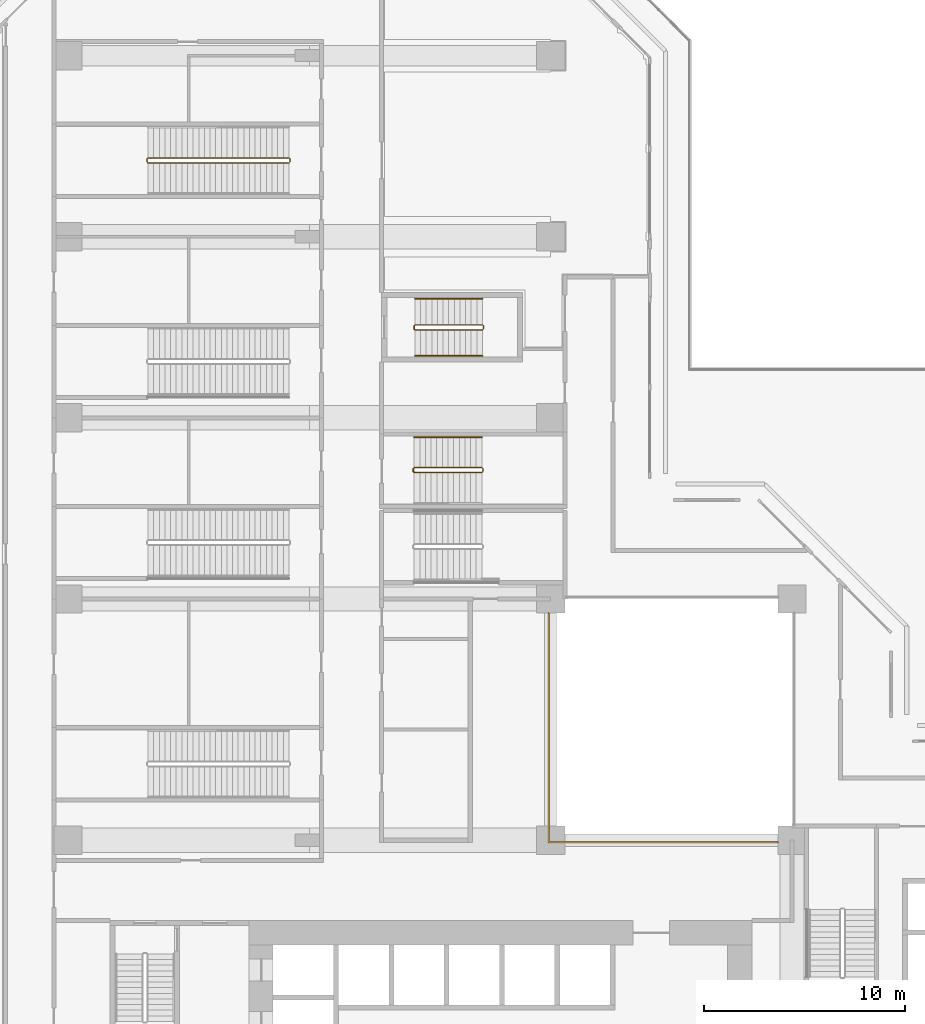
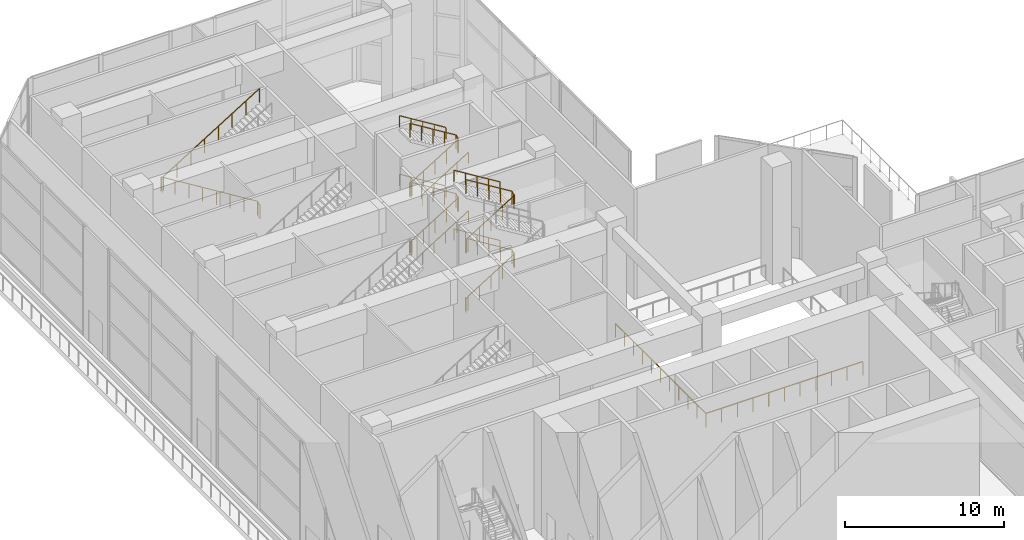
# One storey, part 27 of 28: 10 railings.
"""IFC4 building model written with IfcOpenShell, lengths in metres."""

from ifc_helpers import new_model, si_unit, direction, frame, origin, origin_2d, place, context, subcontext, project, spatial, rectangle, extrude, material, type_object, element, save


model = new_model("IFC4")

# Units and contexts
model_context = context("Model", 3, precision=1e-05, world=origin(), true_north=direction((0.0, 1.0)))
body_context = subcontext(model_context, "Body", "Model", "MODEL_VIEW")
ifc_project = project(units=[si_unit("LENGTHUNIT", "METRE"), si_unit("AREAUNIT", "SQUARE_METRE"), si_unit("VOLUMEUNIT", "CUBIC_METRE"), si_unit("PLANEANGLEUNIT", "RADIAN"), si_unit("MASSUNIT", "GRAM", prefix="KILO")], contexts=[model_context])

# Site, building, storey
site_placement = place(None, origin())
site = spatial("IfcSite", under=ifc_project, at=site_placement, CompositionType="ELEMENT")
building_placement = place(site_placement, origin())
building = spatial("IfcBuilding", under=site, at=building_placement, Name="Chenar Terraces", CompositionType="ELEMENT")
storey_placement = place(building_placement, frame((0.0, 0.0, 26.39990234375)))
storey = spatial("IfcBuildingStorey", under=building, at=storey_placement, Name="L05", CompositionType="ELEMENT", Elevation=26.39990234375)

# Railings
ifc_material_1 = material(Name="Powder-coated steel", Category="steel")
railing_type_1 = type_object("IfcRailingType", Name="Guard 1100 steel rail with glass infill", PredefinedType="GUARDRAIL", material=ifc_material_1)
railing_1_placement = place(storey_placement, frame((23.89990234375, 35.300048828125, 0.0)))
element("IfcRailing", 1, at=railing_1_placement, inside=storey, type_object=railing_type_1, Name="Guard L05-1", PredefinedType="GUARDRAIL", context=body_context, shape_type="SweptSolid", body=[
    extrude(rectangle(XDim=0.06005859375, YDim=0.06005859375, at=origin_2d()), frame((0.0, 0.0, 1.070068359375), z_axis=(0.0, -1.0, 0.0), x_axis=(1.0, 0.0, 0.0)), (0.0, 0.0, 1.0), 11.400146484375),
    extrude(rectangle(XDim=0.06005859375, YDim=0.06005859375, at=origin_2d()), frame((0.0, -11.400146484375, 1.070068359375), z_axis=(1.0, 0.0, 0.0), x_axis=(0.0, 1.0, 0.0)), (0.0, 0.0, 1.0), 11.400146484375),
    extrude(rectangle(XDim=0.050048828125, YDim=0.050048828125, at=origin_2d()), origin(), (0.0, 0.0, 1.0), 1.0400390625),
    extrude(rectangle(XDim=0.050048828125, YDim=0.050048828125, at=origin_2d()), frame((0.0, -1.14013671875, 0.0)), (0.0, 0.0, 1.0), 1.0400390625),
    extrude(rectangle(XDim=0.050048828125, YDim=0.050048828125, at=origin_2d()), frame((0.0, -2.280029296875, 0.0)), (0.0, 0.0, 1.0), 1.0400390625),
    extrude(rectangle(XDim=0.050048828125, YDim=0.050048828125, at=origin_2d()), frame((0.0, -3.419921875, 0.0)), (0.0, 0.0, 1.0), 1.0400390625),
    extrude(rectangle(XDim=0.050048828125, YDim=0.050048828125, at=origin_2d()), frame((0.0, -4.56005859375, 0.0)), (0.0, 0.0, 1.0), 1.0400390625),
    extrude(rectangle(XDim=0.050048828125, YDim=0.050048828125, at=origin_2d()), frame((0.0, -5.7001953125, 0.0)), (0.0, 0.0, 1.0), 1.0400390625),
    extrude(rectangle(XDim=0.050048828125, YDim=0.050048828125, at=origin_2d()), frame((0.0, -6.840087890625, 0.0)), (0.0, 0.0, 1.0), 1.0400390625),
    extrude(rectangle(XDim=0.050048828125, YDim=0.050048828125, at=origin_2d()), frame((0.0, -7.97998046875, 0.0)), (0.0, 0.0, 1.0), 1.0400390625),
    extrude(rectangle(XDim=0.050048828125, YDim=0.050048828125, at=origin_2d()), frame((0.0, -9.1201171875, 0.0)), (0.0, 0.0, 1.0), 1.0400390625),
    extrude(rectangle(XDim=0.050048828125, YDim=0.050048828125, at=origin_2d()), frame((0.0, -10.26025390625, 0.0)), (0.0, 0.0, 1.0), 1.0400390625),
    extrude(rectangle(XDim=0.050048828125, YDim=0.050048828125, at=origin_2d()), frame((0.0, -11.400146484375, 0.0)), (0.0, 0.0, 1.0), 1.0400390625),
    extrude(rectangle(XDim=0.050048828125, YDim=0.050048828125, at=origin_2d()), frame((1.14013671875, -11.400146484375, 0.0)), (0.0, 0.0, 1.0), 1.0400390625),
    extrude(rectangle(XDim=0.050048828125, YDim=0.050048828125, at=origin_2d()), frame((2.280029296875, -11.400146484375, 0.0)), (0.0, 0.0, 1.0), 1.0400390625),
    extrude(rectangle(XDim=0.050048828125, YDim=0.050048828125, at=origin_2d()), frame((3.419921875, -11.400146484375, 0.0)), (0.0, 0.0, 1.0), 1.0400390625),
    extrude(rectangle(XDim=0.050048828125, YDim=0.050048828125, at=origin_2d()), frame((4.56005859375, -11.400146484375, 0.0)), (0.0, 0.0, 1.0), 1.0400390625),
    extrude(rectangle(XDim=0.050048828125, YDim=0.050048828125, at=origin_2d()), frame((5.7001953125, -11.400146484375, 0.0)), (0.0, 0.0, 1.0), 1.0400390625),
    extrude(rectangle(XDim=0.050048828125, YDim=0.050048828125, at=origin_2d()), frame((6.840087890625, -11.400146484375, 0.0)), (0.0, 0.0, 1.0), 1.0400390625),
    extrude(rectangle(XDim=0.050048828125, YDim=0.050048828125, at=origin_2d()), frame((7.97998046875, -11.400146484375, 0.0)), (0.0, 0.0, 1.0), 1.0400390625),
    extrude(rectangle(XDim=0.050048828125, YDim=0.050048828125, at=origin_2d()), frame((9.1201171875, -11.400146484375, 0.0)), (0.0, 0.0, 1.0), 1.0400390625),
    extrude(rectangle(XDim=0.050048828125, YDim=0.050048828125, at=origin_2d()), frame((10.26025390625, -11.400146484375, 0.0)), (0.0, 0.0, 1.0), 1.0400390625),
    extrude(rectangle(XDim=0.050048828125, YDim=0.050048828125, at=origin_2d()), frame((11.400146484375, -11.400146484375, 0.0)), (0.0, 0.0, 1.0), 1.0400390625),
])
ifc_material_2 = material(Name="Powder-coated steel", Category="steel")
railing_type_2 = type_object("IfcRailingType", Name="Stair guard 1100", PredefinedType="GUARDRAIL", material=ifc_material_2)
railing_2_placement = place(storey_placement, frame((17.25, 49.625, 9.0)))
element("IfcRailing", 2, at=railing_2_placement, inside=storey, type_object=railing_type_2, Name="L05 ST4 stair guard 1", PredefinedType="GUARDRAIL", context=body_context, shape_type="SweptSolid", body=[
    extrude(rectangle(XDim=0.048095703125, YDim=0.048095703125, at=origin_2d()), frame((0.0, 0.0, 1.076171875), z_axis=(0.850623216509, 0.0, -0.525775754039), x_axis=(0.0, 1.0, 0.0)), (0.0, 0.0, 1.0), 3.9501953125),
    extrude(rectangle(XDim=0.048095703125, YDim=0.048095703125, at=origin_2d()), frame((3.360107421875, 0.0, -1.0009765625), z_axis=(0.266417085129, -0.267723051232, -0.925929967433), x_axis=(0.708833529934, 0.705375805398, 0.0)), (0.0, 0.0, 1.0), 0.18701171875),
    extrude(rectangle(XDim=0.048095703125, YDim=0.048095703125, at=origin_2d()), frame((3.409912109375, -0.050048828125, -1.173828125), z_axis=(0.0, -1.0, 0.0), x_axis=(1.0, 0.0, 0.0)), (0.0, 0.0, 1.0), 0.14990234375),
    extrude(rectangle(XDim=0.048095703125, YDim=0.048095703125, at=origin_2d()), frame((3.409912109375, -0.199951171875, -1.173828125), z_axis=(-0.705375805398, -0.708833529934, 0.0), x_axis=(0.708833529934, -0.705375805398, 0.0)), (0.0, 0.0, 1.0), 0.070556640625),
    extrude(rectangle(XDim=0.048095703125, YDim=0.048095703125, at=origin_2d()), frame((3.360107421875, -0.25, -1.173828125), z_axis=(-0.850623216509, 0.0, -0.525775754039), x_axis=(0.0, -1.0, 0.0)), (0.0, 0.0, 1.0), 3.9501953125),
    extrude(rectangle(XDim=0.048095703125, YDim=0.048095703125, at=origin_2d()), frame((0.0, -0.25, -3.2509765625), z_axis=(-0.185944045274, 0.742869136974, -0.643094283413), x_axis=(-0.970072785993, -0.242814311512, 0.0)), (0.0, 0.0, 1.0), 0.26904296875),
    extrude(rectangle(XDim=0.048095703125, YDim=0.048095703125, at=origin_2d()), frame((-0.050048828125, -0.050048828125, -3.423828125), z_axis=(0.0, -1.0, 0.0), x_axis=(1.0, 0.0, 0.0)), (0.0, 0.0, 1.0), 0.14990234375),
    extrude(rectangle(XDim=0.048095703125, YDim=0.048095703125, at=origin_2d()), frame((-0.050048828125, -0.199951171875, -3.423828125), z_axis=(0.242814311512, 0.970072785993, 0.0), x_axis=(-0.970072785993, 0.242814311512, 0.0)), (0.0, 0.0, 1.0), 0.2060546875),
    extrude(rectangle(XDim=0.048095703125, YDim=0.048095703125, at=origin_2d()), frame((0.0, 0.0, -3.423828125), z_axis=(0.850623216509, 0.0, -0.525775754039), x_axis=(0.0, 1.0, 0.0)), (0.0, 0.0, 1.0), 3.9501953125),
    extrude(rectangle(XDim=0.048095703125, YDim=0.048095703125, at=origin_2d()), frame((3.360107421875, 0.0, -5.5009765625), z_axis=(0.266417085129, -0.267723051232, -0.925929967433), x_axis=(0.708833529934, 0.705375805398, 0.0)), (0.0, 0.0, 1.0), 0.18701171875),
    extrude(rectangle(XDim=0.048095703125, YDim=0.048095703125, at=origin_2d()), frame((3.409912109375, -0.050048828125, -5.673828125), z_axis=(0.0, -1.0, 0.0), x_axis=(1.0, 0.0, 0.0)), (0.0, 0.0, 1.0), 0.14990234375),
    extrude(rectangle(XDim=0.048095703125, YDim=0.048095703125, at=origin_2d()), frame((3.409912109375, -0.199951171875, -5.673828125), z_axis=(-0.705375805398, -0.708833529934, 0.0), x_axis=(0.708833529934, -0.705375805398, 0.0)), (0.0, 0.0, 1.0), 0.070556640625),
    extrude(rectangle(XDim=0.048095703125, YDim=0.048095703125, at=origin_2d()), frame((3.360107421875, -0.25, -5.673828125), z_axis=(-0.850623216509, 0.0, -0.525775754039), x_axis=(0.0, -1.0, 0.0)), (0.0, 0.0, 1.0), 3.9501953125),
    extrude(rectangle(XDim=0.048095703125, YDim=0.048095703125, at=origin_2d()), frame((0.0, -0.25, -7.7509765625), z_axis=(-0.267629722418, 0.267629722418, -0.925607186314), x_axis=(-0.707106781187, -0.707106781187, 0.0)), (0.0, 0.0, 1.0), 0.18701171875),
    extrude(rectangle(XDim=0.048095703125, YDim=0.048095703125, at=origin_2d()), frame((-0.050048828125, -0.199951171875, -7.923828125), z_axis=(0.0, 1.0, 0.0), x_axis=(-1.0, 0.0, 0.0)), (0.0, 0.0, 1.0), 0.14990234375),
    extrude(rectangle(XDim=0.0419921875, YDim=0.0419921875, at=origin_2d()), origin(), (0.0, 0.0, 1.0), 1.052001953125),
    extrude(rectangle(XDim=0.0419921875, YDim=0.0419921875, at=origin_2d()), frame((0.840087890625, 0.0, -0.519287109375)), (0.0, 0.0, 1.0), 1.052001953125),
    extrude(rectangle(XDim=0.0419921875, YDim=0.0419921875, at=origin_2d()), frame((1.68017578125, 0.0, -1.03857421875)), (0.0, 0.0, 1.0), 1.052001953125),
    extrude(rectangle(XDim=0.0419921875, YDim=0.0419921875, at=origin_2d()), frame((2.52001953125, 0.0, -1.5576171875)), (0.0, 0.0, 1.0), 1.052001953125),
    extrude(rectangle(XDim=0.0419921875, YDim=0.0419921875, at=origin_2d()), frame((3.360107421875, 0.0, -2.076904296875)), (0.0, 0.0, 1.0), 1.052001953125),
    extrude(rectangle(XDim=0.0419921875, YDim=0.0419921875, at=origin_2d()), frame((3.409912109375, -0.050048828125, -2.25)), (0.0, 0.0, 1.0), 1.052001953125),
    extrude(rectangle(XDim=0.0419921875, YDim=0.0419921875, at=origin_2d()), frame((3.409912109375, -0.199951171875, -2.25)), (0.0, 0.0, 1.0), 1.052001953125),
    extrude(rectangle(XDim=0.0419921875, YDim=0.0419921875, at=origin_2d()), frame((3.360107421875, -0.25, -2.25)), (0.0, 0.0, 1.0), 1.052001953125),
    extrude(rectangle(XDim=0.0419921875, YDim=0.0419921875, at=origin_2d()), frame((2.52001953125, -0.25, -2.769287109375)), (0.0, 0.0, 1.0), 1.052001953125),
    extrude(rectangle(XDim=0.0419921875, YDim=0.0419921875, at=origin_2d()), frame((1.68017578125, -0.25, -3.28857421875)), (0.0, 0.0, 1.0), 1.052001953125),
    extrude(rectangle(XDim=0.0419921875, YDim=0.0419921875, at=origin_2d()), frame((0.840087890625, -0.25, -3.8076171875)), (0.0, 0.0, 1.0), 1.052001953125),
    extrude(rectangle(XDim=0.0419921875, YDim=0.0419921875, at=origin_2d()), frame((0.0, -0.25, -4.326904296875)), (0.0, 0.0, 1.0), 1.052001953125),
    extrude(rectangle(XDim=0.0419921875, YDim=0.0419921875, at=origin_2d()), frame((-0.050048828125, -0.050048828125, -4.5)), (0.0, 0.0, 1.0), 1.052001953125),
    extrude(rectangle(XDim=0.0419921875, YDim=0.0419921875, at=origin_2d()), frame((-0.050048828125, -0.199951171875, -4.5)), (0.0, 0.0, 1.0), 1.052001953125),
    extrude(rectangle(XDim=0.0419921875, YDim=0.0419921875, at=origin_2d()), frame((0.0, 0.0, -4.5)), (0.0, 0.0, 1.0), 1.052001953125),
    extrude(rectangle(XDim=0.0419921875, YDim=0.0419921875, at=origin_2d()), frame((0.840087890625, 0.0, -5.019287109375)), (0.0, 0.0, 1.0), 1.052001953125),
    extrude(rectangle(XDim=0.0419921875, YDim=0.0419921875, at=origin_2d()), frame((1.68017578125, 0.0, -5.53857421875)), (0.0, 0.0, 1.0), 1.052001953125),
    extrude(rectangle(XDim=0.0419921875, YDim=0.0419921875, at=origin_2d()), frame((2.52001953125, 0.0, -6.0576171875)), (0.0, 0.0, 1.0), 1.052001953125),
    extrude(rectangle(XDim=0.0419921875, YDim=0.0419921875, at=origin_2d()), frame((3.360107421875, 0.0, -6.576904296875)), (0.0, 0.0, 1.0), 1.052001953125),
    extrude(rectangle(XDim=0.0419921875, YDim=0.0419921875, at=origin_2d()), frame((3.409912109375, -0.050048828125, -6.75)), (0.0, 0.0, 1.0), 1.052001953125),
    extrude(rectangle(XDim=0.0419921875, YDim=0.0419921875, at=origin_2d()), frame((3.409912109375, -0.199951171875, -6.75)), (0.0, 0.0, 1.0), 1.052001953125),
    extrude(rectangle(XDim=0.0419921875, YDim=0.0419921875, at=origin_2d()), frame((3.360107421875, -0.25, -6.75)), (0.0, 0.0, 1.0), 1.052001953125),
    extrude(rectangle(XDim=0.0419921875, YDim=0.0419921875, at=origin_2d()), frame((2.52001953125, -0.25, -7.269287109375)), (0.0, 0.0, 1.0), 1.052001953125),
    extrude(rectangle(XDim=0.0419921875, YDim=0.0419921875, at=origin_2d()), frame((1.68017578125, -0.25, -7.78857421875)), (0.0, 0.0, 1.0), 1.052001953125),
    extrude(rectangle(XDim=0.0419921875, YDim=0.0419921875, at=origin_2d()), frame((0.840087890625, -0.25, -8.3076171875)), (0.0, 0.0, 1.0), 1.052001953125),
    extrude(rectangle(XDim=0.0419921875, YDim=0.0419921875, at=origin_2d()), frame((0.0, -0.25, -8.826904296875)), (0.0, 0.0, 1.0), 1.052001953125),
    extrude(rectangle(XDim=0.0419921875, YDim=0.0419921875, at=origin_2d()), frame((-0.050048828125, -0.199951171875, -9.0)), (0.0, 0.0, 1.0), 1.052001953125),
    extrude(rectangle(XDim=0.0419921875, YDim=0.0419921875, at=origin_2d()), frame((-0.050048828125, -0.050048828125, -9.0)), (0.0, 0.0, 1.0), 1.052001953125),
])
railing_3_placement = place(storey_placement, frame((10.985107421875, 57.675048828125, 9.0)))
element("IfcRailing", 3, at=railing_3_placement, inside=storey, type_object=railing_type_2, Name="L05 PS3 stair guard 1", PredefinedType="GUARDRAIL", context=body_context, shape_type="SweptSolid", body=[
    extrude(rectangle(XDim=0.048095703125, YDim=0.048095703125, at=origin_2d()), frame((0.0, 0.0, 1.076171875), z_axis=(-0.850614592968, 0.0, -0.525789705328), x_axis=(0.0, -1.0, 0.0)), (0.0, 0.0, 1.0), 8.229248046875),
    extrude(rectangle(XDim=0.048095703125, YDim=0.048095703125, at=origin_2d()), frame((-7.0, 0.0, -3.2509765625), z_axis=(-0.267629722418, 0.267629722418, -0.925607186314), x_axis=(-0.707106781187, -0.707106781187, 0.0)), (0.0, 0.0, 1.0), 0.18701171875),
    extrude(rectangle(XDim=0.048095703125, YDim=0.048095703125, at=origin_2d()), frame((-7.050048828125, 0.050048828125, -3.423828125), z_axis=(0.0, 1.0, 0.0), x_axis=(-1.0, 0.0, 0.0)), (0.0, 0.0, 1.0), 0.14990234375),
    extrude(rectangle(XDim=0.048095703125, YDim=0.048095703125, at=origin_2d()), frame((-7.050048828125, 0.199951171875, -3.423828125), z_axis=(0.707106781187, 0.707106781187, 0.0), x_axis=(-0.707106781187, 0.707106781187, 0.0)), (0.0, 0.0, 1.0), 0.07080078125),
    extrude(rectangle(XDim=0.048095703125, YDim=0.048095703125, at=origin_2d()), frame((-7.0, 0.25, -3.423828125), z_axis=(0.850614592968, 0.0, -0.525789705328), x_axis=(0.0, 1.0, 0.0)), (0.0, 0.0, 1.0), 8.229248046875),
    extrude(rectangle(XDim=0.048095703125, YDim=0.048095703125, at=origin_2d()), frame((0.0, 0.25, -7.7509765625), z_axis=(0.266417085129, -0.267723051232, -0.925929967433), x_axis=(0.708833529934, 0.705375805398, 0.0)), (0.0, 0.0, 1.0), 0.18701171875),
    extrude(rectangle(XDim=0.048095703125, YDim=0.048095703125, at=origin_2d()), frame((0.0498046875, 0.199951171875, -7.923828125), z_axis=(0.0, -1.0, 0.0), x_axis=(1.0, 0.0, 0.0)), (0.0, 0.0, 1.0), 0.14990234375),
    extrude(rectangle(XDim=0.0419921875, YDim=0.0419921875, at=origin_2d()), origin(), (0.0, 0.0, 1.0), 1.052001953125),
    extrude(rectangle(XDim=0.0419921875, YDim=0.0419921875, at=origin_2d()), frame((-1.0, 0.0, -0.6181640625)), (0.0, 0.0, 1.0), 1.052001953125),
    extrude(rectangle(XDim=0.0419921875, YDim=0.0419921875, at=origin_2d()), frame((-2.0, 0.0, -1.236328125)), (0.0, 0.0, 1.0), 1.052001953125),
    extrude(rectangle(XDim=0.0419921875, YDim=0.0419921875, at=origin_2d()), frame((-3.0, 0.0, -1.8544921875)), (0.0, 0.0, 1.0), 1.052001953125),
    extrude(rectangle(XDim=0.0419921875, YDim=0.0419921875, at=origin_2d()), frame((-4.0, 0.0, -2.472412109375)), (0.0, 0.0, 1.0), 1.052001953125),
    extrude(rectangle(XDim=0.0419921875, YDim=0.0419921875, at=origin_2d()), frame((-5.0, 0.0, -3.090576171875)), (0.0, 0.0, 1.0), 1.052001953125),
    extrude(rectangle(XDim=0.0419921875, YDim=0.0419921875, at=origin_2d()), frame((-6.0, 0.0, -3.708740234375)), (0.0, 0.0, 1.0), 1.052001953125),
    extrude(rectangle(XDim=0.0419921875, YDim=0.0419921875, at=origin_2d()), frame((-7.0, 0.0, -4.326904296875)), (0.0, 0.0, 1.0), 1.052001953125),
    extrude(rectangle(XDim=0.0419921875, YDim=0.0419921875, at=origin_2d()), frame((-7.050048828125, 0.050048828125, -4.5)), (0.0, 0.0, 1.0), 1.052001953125),
    extrude(rectangle(XDim=0.0419921875, YDim=0.0419921875, at=origin_2d()), frame((-7.050048828125, 0.199951171875, -4.5)), (0.0, 0.0, 1.0), 1.052001953125),
    extrude(rectangle(XDim=0.0419921875, YDim=0.0419921875, at=origin_2d()), frame((-7.0, 0.25, -4.5)), (0.0, 0.0, 1.0), 1.052001953125),
    extrude(rectangle(XDim=0.0419921875, YDim=0.0419921875, at=origin_2d()), frame((-6.0, 0.25, -5.1181640625)), (0.0, 0.0, 1.0), 1.052001953125),
    extrude(rectangle(XDim=0.0419921875, YDim=0.0419921875, at=origin_2d()), frame((-5.0, 0.25, -5.736328125)), (0.0, 0.0, 1.0), 1.052001953125),
    extrude(rectangle(XDim=0.0419921875, YDim=0.0419921875, at=origin_2d()), frame((-4.0, 0.25, -6.3544921875)), (0.0, 0.0, 1.0), 1.052001953125),
    extrude(rectangle(XDim=0.0419921875, YDim=0.0419921875, at=origin_2d()), frame((-3.0, 0.25, -6.972412109375)), (0.0, 0.0, 1.0), 1.052001953125),
    extrude(rectangle(XDim=0.0419921875, YDim=0.0419921875, at=origin_2d()), frame((-2.0, 0.25, -7.590576171875)), (0.0, 0.0, 1.0), 1.052001953125),
    extrude(rectangle(XDim=0.0419921875, YDim=0.0419921875, at=origin_2d()), frame((-1.0, 0.25, -8.208740234375)), (0.0, 0.0, 1.0), 1.052001953125),
    extrude(rectangle(XDim=0.0419921875, YDim=0.0419921875, at=origin_2d()), frame((0.0, 0.25, -8.826904296875)), (0.0, 0.0, 1.0), 1.052001953125),
    extrude(rectangle(XDim=0.0419921875, YDim=0.0419921875, at=origin_2d()), frame((0.0498046875, 0.199951171875, -9.0)), (0.0, 0.0, 1.0), 1.052001953125),
    extrude(rectangle(XDim=0.0419921875, YDim=0.0419921875, at=origin_2d()), frame((0.0498046875, 0.050048828125, -9.0)), (0.0, 0.0, 1.0), 1.052001953125),
])
railing_4_placement = place(storey_placement, frame((17.215087890625, 42.52490234375, 9.0)))
element("IfcRailing", 4, at=railing_4_placement, inside=storey, type_object=railing_type_2, Name="L05 PS8 stair guard 1", PredefinedType="GUARDRAIL", context=body_context, shape_type="SweptSolid", body=[
    extrude(rectangle(XDim=0.048095703125, YDim=0.048095703125, at=origin_2d()), frame((0.0, 0.0, 1.076171875), z_axis=(0.850606129759, 0.0, -0.525803396734), x_axis=(0.0, 1.0, 0.0)), (0.0, 0.0, 1.0), 3.949951171875),
    extrude(rectangle(XDim=0.048095703125, YDim=0.048095703125, at=origin_2d()), frame((3.35986328125, 0.0, -1.0009765625), z_axis=(0.267723051232, -0.266417085129, -0.925929967433), x_axis=(0.705375805398, 0.708833529934, 0.0)), (0.0, 0.0, 1.0), 0.18701171875),
    extrude(rectangle(XDim=0.048095703125, YDim=0.048095703125, at=origin_2d()), frame((3.409912109375, -0.0498046875, -1.173828125), z_axis=(0.0, -1.0, 0.0), x_axis=(1.0, 0.0, 0.0)), (0.0, 0.0, 1.0), 0.150146484375),
    extrude(rectangle(XDim=0.048095703125, YDim=0.048095703125, at=origin_2d()), frame((3.409912109375, -0.199951171875, -1.173828125), z_axis=(-0.707106781187, -0.707106781187, 0.0), x_axis=(0.707106781187, -0.707106781187, 0.0)), (0.0, 0.0, 1.0), 0.07080078125),
    extrude(rectangle(XDim=0.048095703125, YDim=0.048095703125, at=origin_2d()), frame((3.35986328125, -0.25, -1.173828125), z_axis=(-0.850606129759, 0.0, -0.525803396734), x_axis=(0.0, -1.0, 0.0)), (0.0, 0.0, 1.0), 3.949951171875),
    extrude(rectangle(XDim=0.048095703125, YDim=0.048095703125, at=origin_2d()), frame((0.0, -0.25, -3.2509765625), z_axis=(-0.185818803529, 0.743275214115, -0.642661130253), x_axis=(-0.970142500145, -0.242535625036, 0.0)), (0.0, 0.0, 1.0), 0.269287109375),
    extrude(rectangle(XDim=0.048095703125, YDim=0.048095703125, at=origin_2d()), frame((-0.050048828125, -0.0498046875, -3.423828125), z_axis=(0.0, -1.0, 0.0), x_axis=(1.0, 0.0, 0.0)), (0.0, 0.0, 1.0), 0.150146484375),
    extrude(rectangle(XDim=0.048095703125, YDim=0.048095703125, at=origin_2d()), frame((-0.050048828125, -0.199951171875, -3.423828125), z_axis=(0.242814311512, 0.970072785993, 0.0), x_axis=(-0.970072785993, 0.242814311512, 0.0)), (0.0, 0.0, 1.0), 0.2060546875),
    extrude(rectangle(XDim=0.048095703125, YDim=0.048095703125, at=origin_2d()), frame((0.0, 0.0, -3.423828125), z_axis=(0.850606129759, 0.0, -0.525803396734), x_axis=(0.0, 1.0, 0.0)), (0.0, 0.0, 1.0), 3.949951171875),
    extrude(rectangle(XDim=0.048095703125, YDim=0.048095703125, at=origin_2d()), frame((3.35986328125, 0.0, -5.5009765625), z_axis=(0.267723051232, -0.266417085129, -0.925929967433), x_axis=(0.705375805398, 0.708833529934, 0.0)), (0.0, 0.0, 1.0), 0.18701171875),
    extrude(rectangle(XDim=0.048095703125, YDim=0.048095703125, at=origin_2d()), frame((3.409912109375, -0.0498046875, -5.673828125), z_axis=(0.0, -1.0, 0.0), x_axis=(1.0, 0.0, 0.0)), (0.0, 0.0, 1.0), 0.150146484375),
    extrude(rectangle(XDim=0.048095703125, YDim=0.048095703125, at=origin_2d()), frame((3.409912109375, -0.199951171875, -5.673828125), z_axis=(-0.707106781187, -0.707106781187, 0.0), x_axis=(0.707106781187, -0.707106781187, 0.0)), (0.0, 0.0, 1.0), 0.07080078125),
    extrude(rectangle(XDim=0.048095703125, YDim=0.048095703125, at=origin_2d()), frame((3.35986328125, -0.25, -5.673828125), z_axis=(-0.850606129759, 0.0, -0.525803396734), x_axis=(0.0, -1.0, 0.0)), (0.0, 0.0, 1.0), 3.949951171875),
    extrude(rectangle(XDim=0.048095703125, YDim=0.048095703125, at=origin_2d()), frame((0.0, -0.25, -7.7509765625), z_axis=(-0.267629722418, 0.267629722418, -0.925607186314), x_axis=(-0.707106781187, -0.707106781187, 0.0)), (0.0, 0.0, 1.0), 0.18701171875),
    extrude(rectangle(XDim=0.048095703125, YDim=0.048095703125, at=origin_2d()), frame((-0.050048828125, -0.199951171875, -7.923828125), z_axis=(0.0, 1.0, 0.0), x_axis=(-1.0, 0.0, 0.0)), (0.0, 0.0, 1.0), 0.150146484375),
    extrude(rectangle(XDim=0.0419921875, YDim=0.0419921875, at=origin_2d()), origin(), (0.0, 0.0, 1.0), 1.052001953125),
    extrude(rectangle(XDim=0.0419921875, YDim=0.0419921875, at=origin_2d()), frame((0.83984375, 0.0, -0.519287109375)), (0.0, 0.0, 1.0), 1.052001953125),
    extrude(rectangle(XDim=0.0419921875, YDim=0.0419921875, at=origin_2d()), frame((1.679931640625, 0.0, -1.03857421875)), (0.0, 0.0, 1.0), 1.052001953125),
    extrude(rectangle(XDim=0.0419921875, YDim=0.0419921875, at=origin_2d()), frame((2.52001953125, 0.0, -1.5576171875)), (0.0, 0.0, 1.0), 1.052001953125),
    extrude(rectangle(XDim=0.0419921875, YDim=0.0419921875, at=origin_2d()), frame((3.35986328125, 0.0, -2.076904296875)), (0.0, 0.0, 1.0), 1.052001953125),
    extrude(rectangle(XDim=0.0419921875, YDim=0.0419921875, at=origin_2d()), frame((3.409912109375, -0.0498046875, -2.25)), (0.0, 0.0, 1.0), 1.052001953125),
    extrude(rectangle(XDim=0.0419921875, YDim=0.0419921875, at=origin_2d()), frame((3.409912109375, -0.199951171875, -2.25)), (0.0, 0.0, 1.0), 1.052001953125),
    extrude(rectangle(XDim=0.0419921875, YDim=0.0419921875, at=origin_2d()), frame((3.35986328125, -0.25, -2.25)), (0.0, 0.0, 1.0), 1.052001953125),
    extrude(rectangle(XDim=0.0419921875, YDim=0.0419921875, at=origin_2d()), frame((2.52001953125, -0.25, -2.769287109375)), (0.0, 0.0, 1.0), 1.052001953125),
    extrude(rectangle(XDim=0.0419921875, YDim=0.0419921875, at=origin_2d()), frame((1.679931640625, -0.25, -3.28857421875)), (0.0, 0.0, 1.0), 1.052001953125),
    extrude(rectangle(XDim=0.0419921875, YDim=0.0419921875, at=origin_2d()), frame((0.83984375, -0.25, -3.8076171875)), (0.0, 0.0, 1.0), 1.052001953125),
    extrude(rectangle(XDim=0.0419921875, YDim=0.0419921875, at=origin_2d()), frame((0.0, -0.25, -4.326904296875)), (0.0, 0.0, 1.0), 1.052001953125),
    extrude(rectangle(XDim=0.0419921875, YDim=0.0419921875, at=origin_2d()), frame((-0.050048828125, -0.0498046875, -4.5)), (0.0, 0.0, 1.0), 1.052001953125),
    extrude(rectangle(XDim=0.0419921875, YDim=0.0419921875, at=origin_2d()), frame((-0.050048828125, -0.199951171875, -4.5)), (0.0, 0.0, 1.0), 1.052001953125),
    extrude(rectangle(XDim=0.0419921875, YDim=0.0419921875, at=origin_2d()), frame((0.0, 0.0, -4.5)), (0.0, 0.0, 1.0), 1.052001953125),
    extrude(rectangle(XDim=0.0419921875, YDim=0.0419921875, at=origin_2d()), frame((0.83984375, 0.0, -5.019287109375)), (0.0, 0.0, 1.0), 1.052001953125),
    extrude(rectangle(XDim=0.0419921875, YDim=0.0419921875, at=origin_2d()), frame((1.679931640625, 0.0, -5.53857421875)), (0.0, 0.0, 1.0), 1.052001953125),
    extrude(rectangle(XDim=0.0419921875, YDim=0.0419921875, at=origin_2d()), frame((2.52001953125, 0.0, -6.0576171875)), (0.0, 0.0, 1.0), 1.052001953125),
    extrude(rectangle(XDim=0.0419921875, YDim=0.0419921875, at=origin_2d()), frame((3.35986328125, 0.0, -6.576904296875)), (0.0, 0.0, 1.0), 1.052001953125),
    extrude(rectangle(XDim=0.0419921875, YDim=0.0419921875, at=origin_2d()), frame((3.409912109375, -0.0498046875, -6.75)), (0.0, 0.0, 1.0), 1.052001953125),
    extrude(rectangle(XDim=0.0419921875, YDim=0.0419921875, at=origin_2d()), frame((3.409912109375, -0.199951171875, -6.75)), (0.0, 0.0, 1.0), 1.052001953125),
    extrude(rectangle(XDim=0.0419921875, YDim=0.0419921875, at=origin_2d()), frame((3.35986328125, -0.25, -6.75)), (0.0, 0.0, 1.0), 1.052001953125),
    extrude(rectangle(XDim=0.0419921875, YDim=0.0419921875, at=origin_2d()), frame((2.52001953125, -0.25, -7.269287109375)), (0.0, 0.0, 1.0), 1.052001953125),
    extrude(rectangle(XDim=0.0419921875, YDim=0.0419921875, at=origin_2d()), frame((1.679931640625, -0.25, -7.78857421875)), (0.0, 0.0, 1.0), 1.052001953125),
    extrude(rectangle(XDim=0.0419921875, YDim=0.0419921875, at=origin_2d()), frame((0.83984375, -0.25, -8.3076171875)), (0.0, 0.0, 1.0), 1.052001953125),
    extrude(rectangle(XDim=0.0419921875, YDim=0.0419921875, at=origin_2d()), frame((0.0, -0.25, -8.826904296875)), (0.0, 0.0, 1.0), 1.052001953125),
    extrude(rectangle(XDim=0.0419921875, YDim=0.0419921875, at=origin_2d()), frame((-0.050048828125, -0.199951171875, -9.0)), (0.0, 0.0, 1.0), 1.052001953125),
    extrude(rectangle(XDim=0.0419921875, YDim=0.0419921875, at=origin_2d()), frame((-0.050048828125, -0.0498046875, -9.0)), (0.0, 0.0, 1.0), 1.052001953125),
])
ifc_material_3 = material(Name="Powder-coated steel", Category="steel")
railing_type_3 = type_object("IfcRailingType", Name="Stair handrail 900", PredefinedType="HANDRAIL", material=ifc_material_3)
railing_5_placement = place(storey_placement, frame((17.25, 48.074951171875, 0.173095703125)))
element("IfcRailing", 5, at=railing_5_placement, inside=storey, type_object=railing_type_3, Name="L05 ST4 stair handrail 1", PredefinedType="HANDRAIL", context=body_context, shape_type="SweptSolid", body=[
    extrude(rectangle(XDim=0.048095703125, YDim=0.048095703125, at=origin_2d()), frame((0.0, 0.0, 0.8759765625), z_axis=(0.850623216509, 0.0, 0.525775754039), x_axis=(0.0, 1.0, 0.0)), (0.0, 0.0, 1.0), 3.9501953125),
    extrude(rectangle(XDim=0.0419921875, YDim=0.0419921875, at=origin_2d()), origin(), (0.0, 0.0, 1.0), 0.851806640625),
    extrude(rectangle(XDim=0.0419921875, YDim=0.0419921875, at=origin_2d()), frame((0.840087890625, 0.0, 0.519287109375)), (0.0, 0.0, 1.0), 0.851806640625),
    extrude(rectangle(XDim=0.0419921875, YDim=0.0419921875, at=origin_2d()), frame((1.68017578125, 0.0, 1.03857421875)), (0.0, 0.0, 1.0), 0.851806640625),
    extrude(rectangle(XDim=0.0419921875, YDim=0.0419921875, at=origin_2d()), frame((2.52001953125, 0.0, 1.5576171875)), (0.0, 0.0, 1.0), 0.851806640625),
    extrude(rectangle(XDim=0.0419921875, YDim=0.0419921875, at=origin_2d()), frame((3.360107421875, 0.0, 2.076904296875)), (0.0, 0.0, 1.0), 0.851806640625),
])
railing_6_placement = place(storey_placement, frame((20.610107421875, 50.925048828125, 2.423095703125)))
element("IfcRailing", 6, at=railing_6_placement, inside=storey, type_object=railing_type_3, Name="L05 ST4 stair handrail 2", PredefinedType="HANDRAIL", context=body_context, shape_type="SweptSolid", body=[
    extrude(rectangle(XDim=0.048095703125, YDim=0.048095703125, at=origin_2d()), frame((0.0, 0.0, 0.8759765625), z_axis=(-0.850623216509, 0.0, 0.525775754039), x_axis=(0.0, -1.0, 0.0)), (0.0, 0.0, 1.0), 3.9501953125),
    extrude(rectangle(XDim=0.0419921875, YDim=0.0419921875, at=origin_2d()), origin(), (0.0, 0.0, 1.0), 0.851806640625),
    extrude(rectangle(XDim=0.0419921875, YDim=0.0419921875, at=origin_2d()), frame((-0.840087890625, 0.0, 0.519287109375)), (0.0, 0.0, 1.0), 0.851806640625),
    extrude(rectangle(XDim=0.0419921875, YDim=0.0419921875, at=origin_2d()), frame((-1.68017578125, 0.0, 1.03857421875)), (0.0, 0.0, 1.0), 0.851806640625),
    extrude(rectangle(XDim=0.0419921875, YDim=0.0419921875, at=origin_2d()), frame((-2.52001953125, 0.0, 1.5576171875)), (0.0, 0.0, 1.0), 0.851806640625),
    extrude(rectangle(XDim=0.0419921875, YDim=0.0419921875, at=origin_2d()), frame((-3.360107421875, 0.0, 2.076904296875)), (0.0, 0.0, 1.0), 0.851806640625),
])
railing_7_placement = place(storey_placement, frame((17.25, 48.074951171875, 4.673095703125)))
element("IfcRailing", 7, at=railing_7_placement, inside=storey, type_object=railing_type_3, Name="L05 ST4 stair handrail 3", PredefinedType="HANDRAIL", context=body_context, shape_type="SweptSolid", body=[
    extrude(rectangle(XDim=0.048095703125, YDim=0.048095703125, at=origin_2d()), frame((0.0, 0.0, 0.8759765625), z_axis=(0.850623216509, 0.0, 0.525775754039), x_axis=(0.0, 1.0, 0.0)), (0.0, 0.0, 1.0), 3.9501953125),
    extrude(rectangle(XDim=0.0419921875, YDim=0.0419921875, at=origin_2d()), origin(), (0.0, 0.0, 1.0), 0.851806640625),
    extrude(rectangle(XDim=0.0419921875, YDim=0.0419921875, at=origin_2d()), frame((0.840087890625, 0.0, 0.519287109375)), (0.0, 0.0, 1.0), 0.851806640625),
    extrude(rectangle(XDim=0.0419921875, YDim=0.0419921875, at=origin_2d()), frame((1.68017578125, 0.0, 1.03857421875)), (0.0, 0.0, 1.0), 0.851806640625),
    extrude(rectangle(XDim=0.0419921875, YDim=0.0419921875, at=origin_2d()), frame((2.52001953125, 0.0, 1.5576171875)), (0.0, 0.0, 1.0), 0.851806640625),
    extrude(rectangle(XDim=0.0419921875, YDim=0.0419921875, at=origin_2d()), frame((3.360107421875, 0.0, 2.076904296875)), (0.0, 0.0, 1.0), 0.851806640625),
])
railing_8_placement = place(storey_placement, frame((20.610107421875, 50.925048828125, 6.923095703125)))
element("IfcRailing", 8, at=railing_8_placement, inside=storey, type_object=railing_type_3, Name="L05 ST4 stair handrail 4", PredefinedType="HANDRAIL", context=body_context, shape_type="SweptSolid", body=[
    extrude(rectangle(XDim=0.048095703125, YDim=0.048095703125, at=origin_2d()), frame((0.0, 0.0, 0.8759765625), z_axis=(-0.850623216509, 0.0, 0.525775754039), x_axis=(0.0, -1.0, 0.0)), (0.0, 0.0, 1.0), 3.9501953125),
    extrude(rectangle(XDim=0.0419921875, YDim=0.0419921875, at=origin_2d()), origin(), (0.0, 0.0, 1.0), 0.851806640625),
    extrude(rectangle(XDim=0.0419921875, YDim=0.0419921875, at=origin_2d()), frame((-0.840087890625, 0.0, 0.519287109375)), (0.0, 0.0, 1.0), 0.851806640625),
    extrude(rectangle(XDim=0.0419921875, YDim=0.0419921875, at=origin_2d()), frame((-1.68017578125, 0.0, 1.03857421875)), (0.0, 0.0, 1.0), 0.851806640625),
    extrude(rectangle(XDim=0.0419921875, YDim=0.0419921875, at=origin_2d()), frame((-2.52001953125, 0.0, 1.5576171875)), (0.0, 0.0, 1.0), 0.851806640625),
    extrude(rectangle(XDim=0.0419921875, YDim=0.0419921875, at=origin_2d()), frame((-3.360107421875, 0.0, 2.076904296875)), (0.0, 0.0, 1.0), 0.851806640625),
])
for number, where, name in (
    (9, (20.574951171875, 44.0400390625, 2.423095703125), "L05 PS8 stair handrail 2"),
    (10, (20.574951171875, 44.0400390625, 6.923095703125), "L05 PS8 stair handrail 4"),
):
    element("IfcRailing", number, at=place(storey_placement, frame(where)), inside=storey, type_object=railing_type_3, Name=name, PredefinedType="HANDRAIL", context=body_context, shape_type="SweptSolid", body=[
        extrude(rectangle(XDim=0.048095703125, YDim=0.048095703125, at=origin_2d()), frame((0.0, 0.0, 0.8759765625), z_axis=(-0.850606129759, 0.0, 0.525803396734), x_axis=(0.0, -1.0, 0.0)), (0.0, 0.0, 1.0), 3.949951171875),
        extrude(rectangle(XDim=0.0419921875, YDim=0.0419921875, at=origin_2d()), origin(), (0.0, 0.0, 1.0), 0.851806640625),
        extrude(rectangle(XDim=0.0419921875, YDim=0.0419921875, at=origin_2d()), frame((-0.83984375, 0.0, 0.519287109375)), (0.0, 0.0, 1.0), 0.851806640625),
        extrude(rectangle(XDim=0.0419921875, YDim=0.0419921875, at=origin_2d()), frame((-1.679931640625, 0.0, 1.03857421875)), (0.0, 0.0, 1.0), 0.851806640625),
        extrude(rectangle(XDim=0.0419921875, YDim=0.0419921875, at=origin_2d()), frame((-2.52001953125, 0.0, 1.5576171875)), (0.0, 0.0, 1.0), 0.851806640625),
        extrude(rectangle(XDim=0.0419921875, YDim=0.0419921875, at=origin_2d()), frame((-3.35986328125, 0.0, 2.076904296875)), (0.0, 0.0, 1.0), 0.851806640625),
    ])

save(model, "model.ifc")
